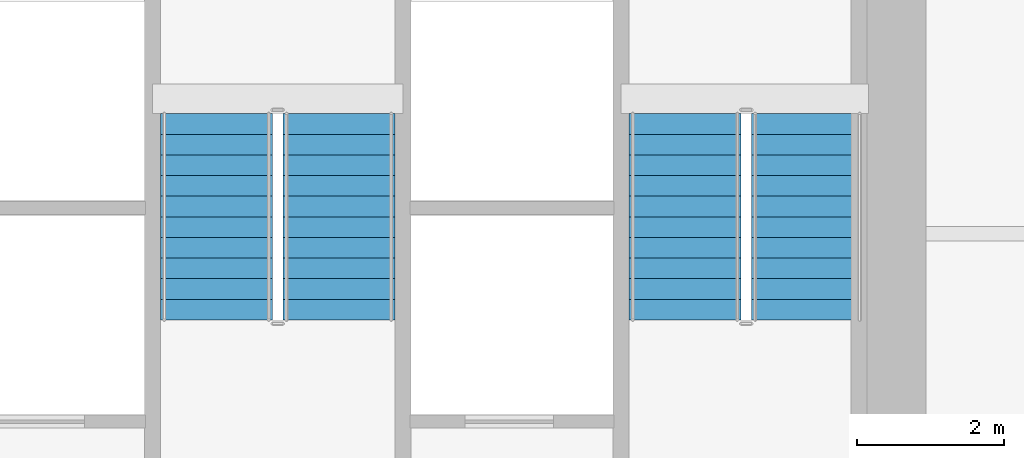
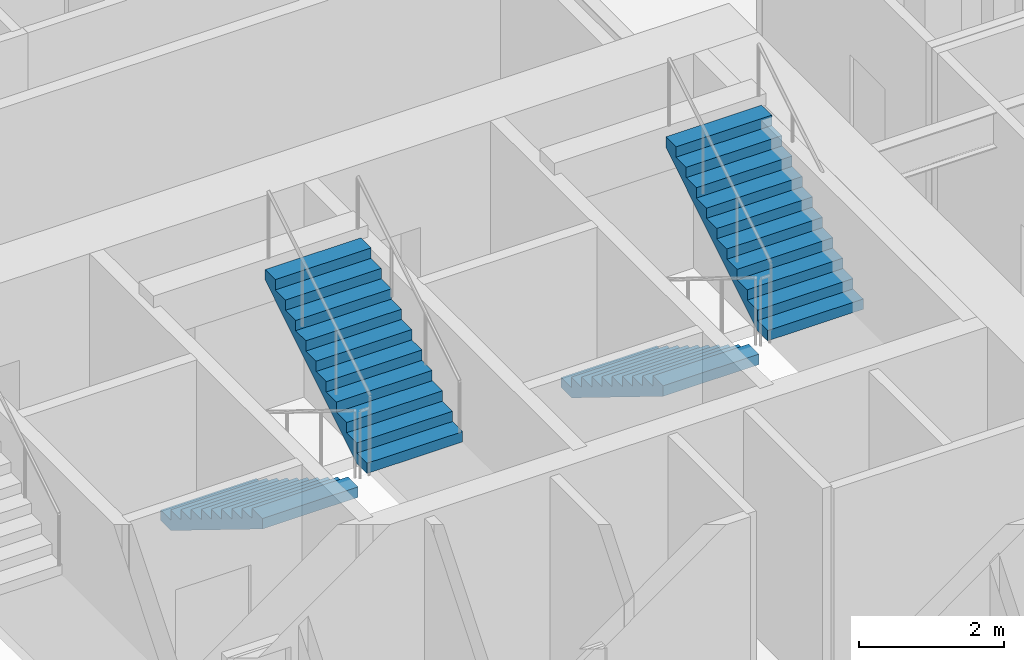
# One storey, part 13 of 18: 4 stair flights, 2 elements without a shape of their own.
"""IFC4 building model written with IfcOpenShell, lengths in metres."""

from ifc_helpers import new_model, si_unit, direction, frame, origin, place, context, subcontext, project, spatial, polyline, outline, extrude, material, type_object, element, aggregate, save


model = new_model("IFC4")

# Units and contexts
model_context = context("Model", 3, precision=1e-05, world=origin(), true_north=direction((0.0, 1.0)))
body_context = subcontext(model_context, "Body", "Model", "MODEL_VIEW")
ifc_project = project(units=[si_unit("LENGTHUNIT", "METRE"), si_unit("AREAUNIT", "SQUARE_METRE"), si_unit("VOLUMEUNIT", "CUBIC_METRE"), si_unit("PLANEANGLEUNIT", "RADIAN"), si_unit("MASSUNIT", "GRAM", prefix="KILO")], contexts=[model_context])

# Site, building, storey
site_placement = place(None, origin())
site = spatial("IfcSite", under=ifc_project, at=site_placement, CompositionType="ELEMENT")
building_placement = place(site_placement, origin())
building = spatial("IfcBuilding", under=site, at=building_placement, Name="Haolan Belvedere Tower", CompositionType="ELEMENT")
storey_placement = place(building_placement, frame((0.0, 0.0, 51.39990234375)))
storey = spatial("IfcBuildingStorey", under=building, at=storey_placement, Name="L12", CompositionType="ELEMENT", Elevation=51.39990234375)

# Stair, stair flights
ifc_material = material(Name="Concrete C40/50", Category="concrete")
stair_type = type_object("IfcStairType", Name="STR-DL-22R-173", PredefinedType="HALF_TURN_STAIR", material=ifc_material)
stair_1_placement = place(storey_placement, origin())
stair_1 = element("IfcStair", 1, at=stair_1_placement, inside=storey, type_object=stair_type, Name="L12 Smokeproof Core Exit Stair ST3", PredefinedType="HALF_TURN_STAIR")
stair_flight_type = type_object("IfcStairFlightType", Name="SFL-DL-11R-173", PredefinedType="STRAIGHT", material=ifc_material)
stair_flight_1_placement = place(storey_placement, frame((37.570068359375, 41.22998046875, 0.0), z_axis=(0.0, 0.0, 1.0), x_axis=(0.0, -1.0, 0.0)))
stair_flight_1 = element("IfcStairFlight", 2, at=stair_flight_1_placement, type_object=stair_flight_type, Name="ST3 flight 1", NumberOfRisers=11, NumberOfTreads=10, PredefinedType="STRAIGHT", RiserHeight=0.172727273, TreadLength=0.28, context=body_context, shape_type="SweptSolid", body=[
    extrude(outline(polyline([(0.0, 0.0), (0.0, 0.172607421875), (0.280029296875, 0.172607421875), (0.280029296875, 0.345458984375), (0.56005859375, 0.345458984375), (0.56005859375, 0.51806640625), (0.840087890625, 0.51806640625), (0.840087890625, 0.69091796875), (1.1201171875, 0.69091796875), (1.1201171875, 0.863525390625), (1.39990234375, 0.863525390625), (1.39990234375, 1.036376953125), (1.679931640625, 1.036376953125), (1.679931640625, 1.208984375), (1.9599609375, 1.208984375), (1.9599609375, 1.3818359375), (2.239990234375, 1.3818359375), (2.239990234375, 1.554443359375), (2.52001953125, 1.554443359375), (2.52001953125, 1.727294921875), (2.800048828125, 1.727294921875), (2.800048828125, 1.89990234375), (2.800048828125, 1.551025390625), (0.285400390625, 0.0), (0.0, 0.0)])), frame((0.0, 0.760009765625, 0.0), z_axis=(0.0, -1.0, 0.0), x_axis=(1.0, 0.0, 0.0)), (0.0, 0.0, 1.0), 1.52001953125),
])
stair_flight_2_placement = place(storey_placement, frame((39.22998046875, 38.429931640625, 1.900146484375), z_axis=(0.0, 0.0, 1.0), x_axis=(0.0, 1.0, 0.0)))
stair_flight_2 = element("IfcStairFlight", 3, at=stair_flight_2_placement, type_object=stair_flight_type, Name="ST3 flight 2", NumberOfRisers=11, NumberOfTreads=10, PredefinedType="STRAIGHT", RiserHeight=0.172727273, TreadLength=0.28, context=body_context, shape_type="SweptSolid", body=[
    extrude(outline(polyline([(0.0, 0.0), (0.0, 0.172607421875), (0.280029296875, 0.172607421875), (0.280029296875, 0.345458984375), (0.56005859375, 0.345458984375), (0.56005859375, 0.51806640625), (0.840087890625, 0.51806640625), (0.840087890625, 0.69091796875), (1.1201171875, 0.69091796875), (1.1201171875, 0.863525390625), (1.39990234375, 0.863525390625), (1.39990234375, 1.036376953125), (1.679931640625, 1.036376953125), (1.679931640625, 1.208984375), (1.9599609375, 1.208984375), (1.9599609375, 1.3818359375), (2.239990234375, 1.3818359375), (2.239990234375, 1.554443359375), (2.52001953125, 1.554443359375), (2.52001953125, 1.727294921875), (2.800048828125, 1.727294921875), (2.800048828125, 1.89990234375), (2.800048828125, 1.551025390625), (0.285400390625, 0.0), (0.0, 0.0)])), frame((0.0, 0.760009765625, 0.0), z_axis=(0.0, -1.0, 0.0), x_axis=(1.0, 0.0, 0.0)), (0.0, 0.0, 1.0), 1.52001953125),
])
aggregate(stair_1, [stair_flight_1, stair_flight_2])

stair_2_placement = place(storey_placement, origin())
stair_2 = element("IfcStair", 4, at=stair_2_placement, inside=storey, type_object=stair_type, Name="L12 Smokeproof Core Exit Stair ST2", PredefinedType="HALF_TURN_STAIR")
stair_flight_3_placement = place(storey_placement, frame((43.929931640625, 41.22998046875, 0.0), z_axis=(0.0, 0.0, 1.0), x_axis=(0.0, -1.0, 0.0)))
stair_flight_3 = element("IfcStairFlight", 5, at=stair_flight_3_placement, type_object=stair_flight_type, Name="ST2 flight 1", NumberOfRisers=11, NumberOfTreads=10, PredefinedType="STRAIGHT", RiserHeight=0.172727273, TreadLength=0.28, context=body_context, shape_type="SweptSolid", body=[
    extrude(outline(polyline([(0.0, 0.0), (0.0, 0.172607421875), (0.280029296875, 0.172607421875), (0.280029296875, 0.345458984375), (0.56005859375, 0.345458984375), (0.56005859375, 0.51806640625), (0.840087890625, 0.51806640625), (0.840087890625, 0.69091796875), (1.1201171875, 0.69091796875), (1.1201171875, 0.863525390625), (1.39990234375, 0.863525390625), (1.39990234375, 1.036376953125), (1.679931640625, 1.036376953125), (1.679931640625, 1.208984375), (1.9599609375, 1.208984375), (1.9599609375, 1.3818359375), (2.239990234375, 1.3818359375), (2.239990234375, 1.554443359375), (2.52001953125, 1.554443359375), (2.52001953125, 1.727294921875), (2.800048828125, 1.727294921875), (2.800048828125, 1.89990234375), (2.800048828125, 1.551025390625), (0.285400390625, 0.0), (0.0, 0.0)])), frame((0.0, 0.760009765625, 0.0), z_axis=(0.0, -1.0, 0.0), x_axis=(1.0, 0.0, 0.0)), (0.0, 0.0, 1.0), 1.52001953125),
])
stair_flight_4_placement = place(storey_placement, frame((45.590087890625, 38.429931640625, 1.900146484375), z_axis=(0.0, 0.0, 1.0), x_axis=(0.0, 1.0, 0.0)))
stair_flight_4 = element("IfcStairFlight", 6, at=stair_flight_4_placement, type_object=stair_flight_type, Name="ST2 flight 2", NumberOfRisers=11, NumberOfTreads=10, PredefinedType="STRAIGHT", RiserHeight=0.172727273, TreadLength=0.28, context=body_context, shape_type="SweptSolid", body=[
    extrude(outline(polyline([(0.0, 0.0), (0.0, 0.172607421875), (0.280029296875, 0.172607421875), (0.280029296875, 0.345458984375), (0.56005859375, 0.345458984375), (0.56005859375, 0.51806640625), (0.840087890625, 0.51806640625), (0.840087890625, 0.69091796875), (1.1201171875, 0.69091796875), (1.1201171875, 0.863525390625), (1.39990234375, 0.863525390625), (1.39990234375, 1.036376953125), (1.679931640625, 1.036376953125), (1.679931640625, 1.208984375), (1.9599609375, 1.208984375), (1.9599609375, 1.3818359375), (2.239990234375, 1.3818359375), (2.239990234375, 1.554443359375), (2.52001953125, 1.554443359375), (2.52001953125, 1.727294921875), (2.800048828125, 1.727294921875), (2.800048828125, 1.89990234375), (2.800048828125, 1.551025390625), (0.285400390625, 0.0), (0.0, 0.0)])), frame((0.0, 0.760009765625, 0.0), z_axis=(0.0, -1.0, 0.0), x_axis=(1.0, 0.0, 0.0)), (0.0, 0.0, 1.0), 1.52001953125),
])
aggregate(stair_2, [stair_flight_3, stair_flight_4])

save(model, "model.ifc")
